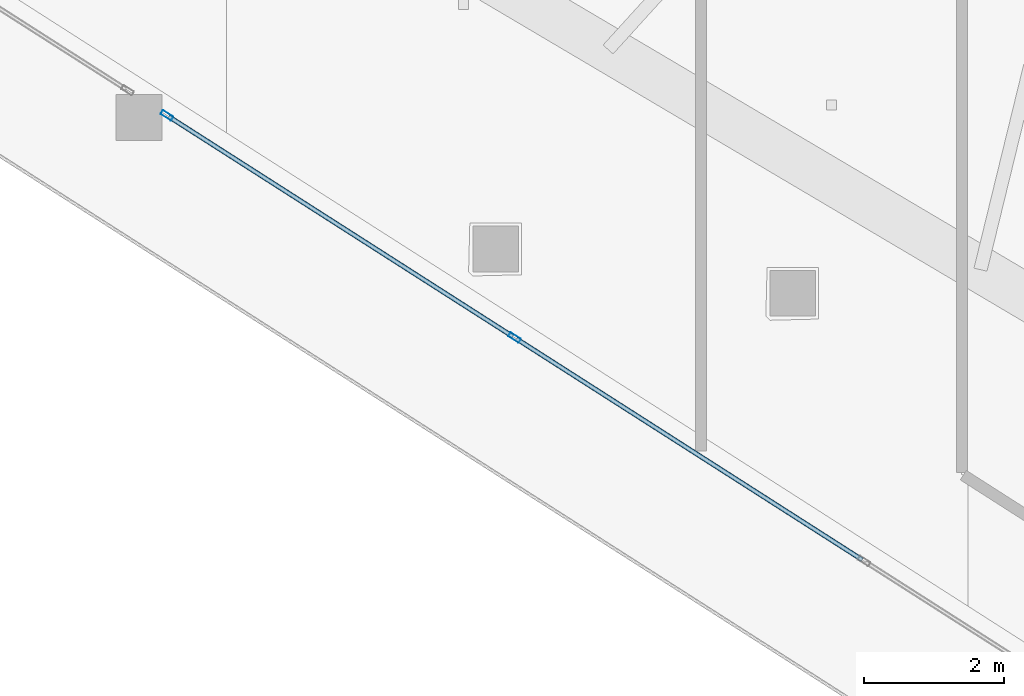
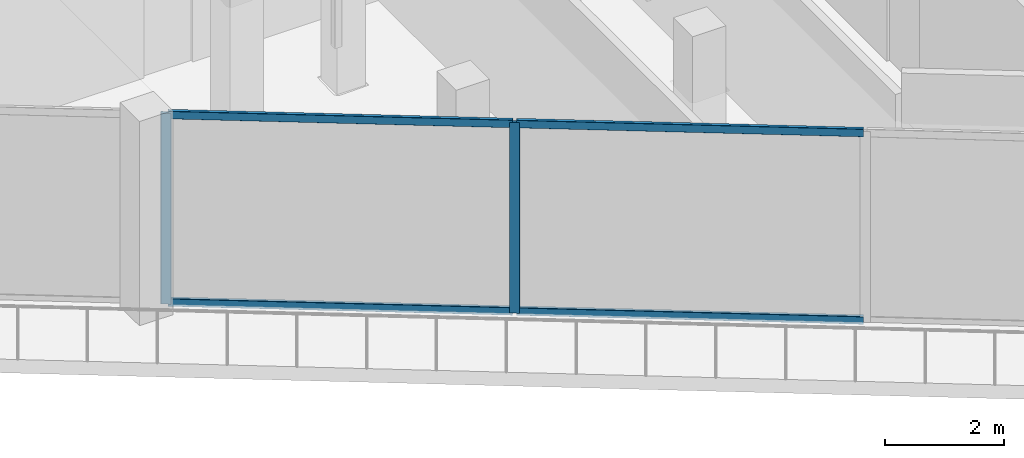
# One storey, part 2 of 44: 6 members, 1 element without a shape of its own.
"""IFC4 building model written with IfcOpenShell, lengths in metres."""

from ifc_helpers import new_model, si_unit, direction, frame, origin, origin_2d, place, context, subcontext, project, spatial, hollow_rectangle, extrude, material, layer, layer_set, material_profile, profile_set, type_object, element, aggregate, save


model = new_model("IFC4")

# Units and contexts
model_context = context("Model", 3, precision=1e-05, world=origin(), true_north=direction((0.0, 1.0)))
body_context = subcontext(model_context, "Body", "Model", "MODEL_VIEW")
ifc_project = project(units=[si_unit("LENGTHUNIT", "METRE"), si_unit("AREAUNIT", "SQUARE_METRE"), si_unit("VOLUMEUNIT", "CUBIC_METRE"), si_unit("PLANEANGLEUNIT", "RADIAN"), si_unit("MASSUNIT", "GRAM", prefix="KILO")], contexts=[model_context])

# Site, building, storey
site_placement = place(None, origin())
site = spatial("IfcSite", under=ifc_project, at=site_placement, CompositionType="ELEMENT")
building_placement = place(site_placement, origin())
building = spatial("IfcBuilding", under=site, at=building_placement, Name="Qorvath Tower", CompositionType="ELEMENT")
storey_placement = place(building_placement, frame((0.0, 0.0, 57.60009765625)))
storey = spatial("IfcBuildingStorey", under=building, at=storey_placement, Name="L12", CompositionType="ELEMENT", Elevation=57.60009765625)

# Curtain wall, members
ifc_material_1 = material(Name="Anodised aluminium and triple low-E glass", Category="aluminium")
ifc_layer = layer(ifc_material_1, 0.179931640625)
ifc_layer_set = layer_set([ifc_layer], Name="CW-SYS-2")
curtain_wall_type = type_object("IfcCurtainWallType", Name="CW-SYS-2", PredefinedType="NOTDEFINED", material=ifc_layer_set)
curtain_wall_placement = place(storey_placement, origin())
curtain_wall = element("IfcCurtainWall", 1, at=curtain_wall_placement, inside=storey, type_object=curtain_wall_type, Name="Curtain Wall CW-2 CW-T-L12-2.2", PredefinedType="NOTDEFINED")
ifc_material_2 = material(Name="Anodised aluminium 6063-T6", Category="aluminium")
ifc_material_profile_1 = material_profile(ifc_material_2, hollow_rectangle(XDim=0.06494140625, YDim=0.179931640625, WallThickness=0.00341796875, InnerFilletRadius=0.00341796875, OuterFilletRadius=0.007080078125, at=origin_2d()), Name="CWM 180x65")
ifc_profile_set_1 = profile_set([ifc_material_profile_1], Name="Anodised aluminium 6063-T6")
member_type_1 = type_object("IfcMemberType", Name="CWM-180", PredefinedType="MULLION", material=ifc_profile_set_1)
member_1_placement = place(storey_placement, frame((-39.93505859375, -16.92626953125, 0.0), z_axis=(0.0, 0.0, 1.0), x_axis=(0.538536297709, 0.842602311918, 0.0)))
member_1 = element("IfcMember", 2, at=member_1_placement, type_object=member_type_1, Name="CW-2 mullion 1", PredefinedType="MULLION", context=body_context, shape_type="SweptSolid", body=[
    extrude(hollow_rectangle(XDim=0.06494140625, YDim=0.179931640625, WallThickness=0.00341796875, InnerFilletRadius=0.00341796875, OuterFilletRadius=0.007080078125, at=origin_2d()), origin(), (0.0, 0.0, 1.0), 3.919921875),
])
member_2_placement = place(storey_placement, frame((-34.9814453125, -20.092041015625, 0.0), z_axis=(0.0, 0.0, 1.0), x_axis=(0.538536297709, 0.842602311918, 0.0)))
member_2 = element("IfcMember", 3, at=member_2_placement, type_object=member_type_1, Name="CW-2 mullion 2", PredefinedType="MULLION", context=body_context, shape_type="SweptSolid", body=[
    extrude(hollow_rectangle(XDim=0.06494140625, YDim=0.179931640625, WallThickness=0.00341796875, InnerFilletRadius=0.00341796875, OuterFilletRadius=0.007080078125, at=origin_2d()), origin(), (0.0, 0.0, 1.0), 3.919921875),
])
ifc_material_3 = material(Name="Anodised aluminium 6063-T6", Category="aluminium")
ifc_material_profile_2 = material_profile(ifc_material_3, hollow_rectangle(XDim=0.06494140625, YDim=0.159912109375, WallThickness=0.00341796875, InnerFilletRadius=0.00341796875, OuterFilletRadius=0.007080078125, at=origin_2d()), Name="CWT 160x65")
ifc_profile_set_2 = profile_set([ifc_material_profile_2], Name="Anodised aluminium 6063-T6")
member_type_2 = type_object("IfcMemberType", Name="CWT-160", PredefinedType="USERDEFINED", material=ifc_profile_set_2)
member_3_placement = place(storey_placement, frame((-39.90771484375, -16.943603515625, 0.032470703125), z_axis=(0.842587751429, -0.538559078599, 0.0), x_axis=(0.538559078599, 0.842587751429, 0.0)))
member_3 = element("IfcMember", 4, at=member_3_placement, type_object=member_type_2, Name="CW-2 transom 1.1", ObjectType="TRANSOM", PredefinedType="USERDEFINED", context=body_context, shape_type="SweptSolid", body=[
    extrude(hollow_rectangle(XDim=0.06494140625, YDim=0.159912109375, WallThickness=0.00341796875, InnerFilletRadius=0.00341796875, OuterFilletRadius=0.007080078125, at=origin_2d()), origin(), (0.0, 0.0, 1.0), 5.81396484375),
])
member_4_placement = place(storey_placement, frame((-39.90771484375, -16.943603515625, 3.887451171875), z_axis=(0.842587751429, -0.538559078599, 0.0), x_axis=(0.538559078599, 0.842587751429, 0.0)))
member_4 = element("IfcMember", 5, at=member_4_placement, type_object=member_type_2, Name="CW-2 transom 1.2", ObjectType="TRANSOM", PredefinedType="USERDEFINED", context=body_context, shape_type="SweptSolid", body=[
    extrude(hollow_rectangle(XDim=0.06494140625, YDim=0.159912109375, WallThickness=0.00341796875, InnerFilletRadius=0.00341796875, OuterFilletRadius=0.007080078125, at=origin_2d()), origin(), (0.0, 0.0, 1.0), 5.81396484375),
])
member_5_placement = place(storey_placement, frame((-34.9541015625, -20.109619140625, 0.032470703125), z_axis=(0.842598881455, -0.538541665027, 0.0), x_axis=(0.538541665027, 0.842598881455, 0.0)))
member_5 = element("IfcMember", 6, at=member_5_placement, type_object=member_type_2, Name="CW-2 transom 2.1", ObjectType="TRANSOM", PredefinedType="USERDEFINED", context=body_context, shape_type="SweptSolid", body=[
    extrude(hollow_rectangle(XDim=0.06494140625, YDim=0.159912109375, WallThickness=0.00341796875, InnerFilletRadius=0.00341796875, OuterFilletRadius=0.007080078125, at=origin_2d()), origin(), (0.0, 0.0, 1.0), 5.84619140625),
])
member_6_placement = place(storey_placement, frame((-34.9541015625, -20.109619140625, 3.887451171875), z_axis=(0.842598881455, -0.538541665027, 0.0), x_axis=(0.538541665027, 0.842598881455, 0.0)))
member_6 = element("IfcMember", 7, at=member_6_placement, type_object=member_type_2, Name="CW-2 transom 2.2", ObjectType="TRANSOM", PredefinedType="USERDEFINED", context=body_context, shape_type="SweptSolid", body=[
    extrude(hollow_rectangle(XDim=0.06494140625, YDim=0.159912109375, WallThickness=0.00341796875, InnerFilletRadius=0.00341796875, OuterFilletRadius=0.007080078125, at=origin_2d()), origin(), (0.0, 0.0, 1.0), 5.84619140625),
])
aggregate(curtain_wall, [member_1, member_2, member_3, member_4, member_5, member_6])

save(model, "model.ifc")
